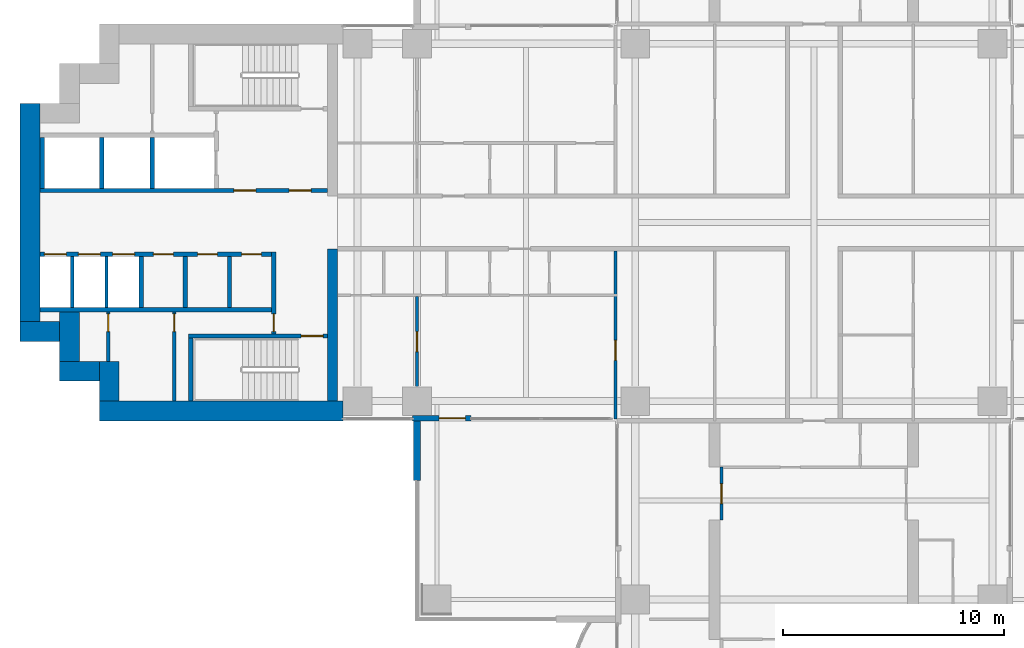
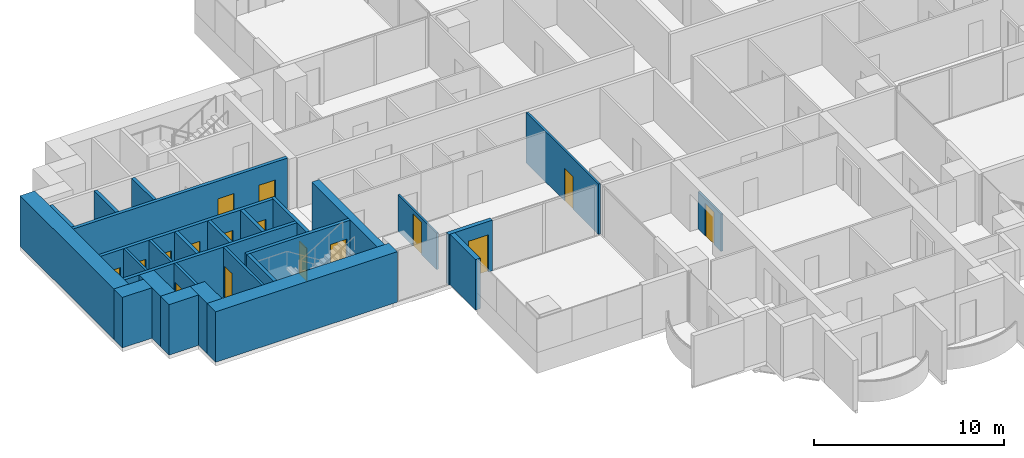
# One storey, part 10 of 20: 28 walls, 16 doors, 16 openings.
"""IFC4 building model written with IfcOpenShell, lengths in metres."""

from ifc_helpers import new_model, si_unit, direction, frame, frame_2d, origin, place, context, subcontext, project, spatial, rectangle, extrude, material, layer, layer_set, type_object, element, fill, save


model = new_model("IFC4")

# Units and contexts
model_context = context("Model", 3, precision=1e-05, world=origin(), true_north=direction((0.0, 1.0)))
body_context = subcontext(model_context, "Body", "Model", "MODEL_VIEW")
ifc_project = project(units=[si_unit("LENGTHUNIT", "METRE"), si_unit("AREAUNIT", "SQUARE_METRE"), si_unit("VOLUMEUNIT", "CUBIC_METRE"), si_unit("PLANEANGLEUNIT", "RADIAN"), si_unit("MASSUNIT", "GRAM", prefix="KILO")], contexts=[model_context])

# Site, building, storey
site_placement = place(None, origin())
site = spatial("IfcSite", under=ifc_project, at=site_placement, CompositionType="ELEMENT")
building_placement = place(site_placement, origin())
building = spatial("IfcBuilding", under=site, at=building_placement, Name="Perihelion Cross Residences", CompositionType="ELEMENT")
storey_placement = place(building_placement, frame((0.0, 0.0, 78.5)))
storey = spatial("IfcBuildingStorey", under=building, at=storey_placement, Name="L17", CompositionType="ELEMENT", Elevation=78.5)

# Wall, opening, door
ifc_material_1 = material(Name="Concrete C30/37, bronze-clad", Category="concrete")
ifc_layer_1 = layer(ifc_material_1, 0.25)
ifc_layer_set_1 = layer_set([ifc_layer_1], Name="Bronze-clad pier wall 250")
wall_type_1 = type_object("IfcWallType", Name="Bronze-clad pier wall 250", PredefinedType="SOLIDWALL", material=ifc_layer_set_1)
wall_1_placement = place(storey_placement, frame((-18.199951171875, -8.875, 0.0), z_axis=(0.0, 0.0, 1.0), x_axis=(1.0, 0.0, 0.0)))
wall_1 = element("IfcWall", 1, at=wall_1_placement, inside=storey, type_object=wall_type_1, Name="Wall FW1 L17 west side south bay 2 pier", PredefinedType="SOLIDWALL", context=body_context, shape_type="SweptSolid", body=[
    extrude(rectangle(XDim=2.64990234375, YDim=0.25, at=frame_2d((1.324951171875, 0.0))), origin(), (0.0, 0.0, 1.0), 3.25),
])
opening_1_placement = place(wall_1_placement, frame((1.199951171875, 0.0, 0.0)))
opening_1 = element("IfcOpeningElement", 2, at=opening_1_placement, cuts=wall_1, Name="Opening L17.E09", PredefinedType="OPENING", context=body_context, shape_type="SweptSolid", body=[
    extrude(rectangle(XDim=1.199951171875, YDim=2.39990234375, at=frame_2d((0.60009765625, 1.199951171875))), frame((0.0, 0.135009765625, 0.0), z_axis=(0.0, -1.0, 0.0), x_axis=(1.0, 0.0, 0.0)), (0.0, 0.0, 1.0), 0.27001953125),
])
ifc_material_2 = material(Name="Bronze anodised aluminium, glazed", Category="aluminium")
door_type_1 = type_object("IfcDoorType", Name="Balcony door 1200 x 2400", OperationType="NOTDEFINED", PredefinedType="DOOR", material=ifc_material_2)
door_1_placement = place(opening_1_placement, origin())
door_1 = element("IfcDoor", 3, at=door_1_placement, inside=storey, type_object=door_type_1, Name="Door L17.E09 west side south bay 2", OperationType="SINGLE_SWING_RIGHT", OverallHeight=2.39990234375, OverallWidth=1.199951171875, PredefinedType="DOOR", context=body_context, shape_type="SweptSolid", body=[
    extrude(rectangle(XDim=1.199951171875, YDim=2.39990234375, at=frame_2d((0.60009765625, 1.199951171875))), frame((0.0, 0.02490234375, 0.0), z_axis=(0.0, -1.0, 0.0), x_axis=(1.0, 0.0, 0.0)), (0.0, 0.0, 1.0), 0.050048828125),
])
fill(opening_1, door_1)

# Walls
ifc_material_3 = material(Name="Concrete C60/75", Category="concrete")
ifc_layer_2 = layer(ifc_material_3, 0.449951171875)
ifc_layer_set_2 = layer_set([ifc_layer_2], Name="Core wall, inner 450")
wall_type_2 = type_object("IfcWallType", Name="Core wall, inner 450", PredefinedType="SHEAR", material=ifc_layer_set_2)
wall_2_placement = place(storey_placement, frame((-21.824951171875, -8.10009765625, 0.0), z_axis=(0.0, 0.0, 1.0), x_axis=(0.0, 1.0, 0.0)))
element("IfcWall", 4, at=wall_2_placement, inside=storey, type_object=wall_type_2, Name="West core core wall, inner", PredefinedType="SHEAR", context=body_context, shape_type="SweptSolid", body=[
    extrude(rectangle(XDim=6.900146484375, YDim=0.449951171875, at=frame_2d((3.4501953125, 0.0))), origin(), (0.0, 0.0, 1.0), 3.25),
])
ifc_material_4 = material(Name="Concrete C60/75", Category="concrete")
ifc_layer_3 = layer(ifc_material_4, 0.89990234375)
ifc_layer_set_3 = layer_set([ifc_layer_3], Name="Core wall, outer 900")
wall_type_3 = type_object("IfcWallType", Name="Core wall, outer 900", PredefinedType="SHEAR", material=ifc_layer_set_3)
wall_3_placement = place(storey_placement, frame((-32.39990234375, -8.550048828125, 0.0), z_axis=(0.0, 0.0, 1.0), x_axis=(1.0, 0.0, 0.0)))
element("IfcWall", 5, at=wall_3_placement, inside=storey, type_object=wall_type_3, Name="West core core wall, outer", PredefinedType="SHEAR", context=body_context, shape_type="SweptSolid", body=[
    extrude(rectangle(XDim=11.0498046875, YDim=0.89990234375, at=frame_2d((5.52490234375, 0.0))), origin(), (0.0, 0.0, 1.0), 3.25),
])
for number, where, z_axis, x_axis, name in (
    (6, (-31.949951171875, -8.10009765625, 0.0), (0.0, 0.0, 1.0), (0.0, 1.0, 0.0), "West core core wall, outer"),
    (7, (-34.199951171875, -6.75, 0.0), (0.0, 0.0, 1.0), (1.0, 0.0, 0.0), "West core core wall, outer"),
):
    element("IfcWall", number, at=place(storey_placement, frame(where, z_axis=z_axis, x_axis=x_axis)), inside=storey, type_object=wall_type_3, Name=name, PredefinedType="SHEAR", context=body_context, shape_type="SweptSolid", body=[
        extrude(rectangle(XDim=1.800048828125, YDim=0.89990234375, at=frame_2d((0.89990234375, 0.0))), origin(), (0.0, 0.0, 1.0), 3.25),
    ])
wall_4_placement = place(storey_placement, frame((-33.75, -6.300048828125, 0.0), z_axis=(0.0, 0.0, 1.0), x_axis=(0.0, 1.0, 0.0)))
element("IfcWall", 8, at=wall_4_placement, inside=storey, type_object=wall_type_3, Name="West core core wall, outer", PredefinedType="SHEAR", context=body_context, shape_type="SweptSolid", body=[
    extrude(rectangle(XDim=2.25, YDim=0.89990234375, at=frame_2d((1.125, 0.0))), origin(), (0.0, 0.0, 1.0), 3.25),
])
wall_5_placement = place(storey_placement, frame((-36.0, -4.949951171875, 0.0), z_axis=(0.0, 0.0, 1.0), x_axis=(1.0, 0.0, 0.0)))
element("IfcWall", 9, at=wall_5_placement, inside=storey, type_object=wall_type_3, Name="West core core wall, outer", PredefinedType="SHEAR", context=body_context, shape_type="SweptSolid", body=[
    extrude(rectangle(XDim=1.800048828125, YDim=0.89990234375, at=frame_2d((0.89990234375, 0.0))), origin(), (0.0, 0.0, 1.0), 3.25),
])
wall_6_placement = place(storey_placement, frame((-35.550048828125, -4.5, 0.0), z_axis=(0.0, 0.0, 1.0), x_axis=(0.0, 1.0, 0.0)))
element("IfcWall", 10, at=wall_6_placement, inside=storey, type_object=wall_type_3, Name="West core core wall, outer", PredefinedType="SHEAR", context=body_context, shape_type="SweptSolid", body=[
    extrude(rectangle(XDim=9.89990234375, YDim=0.89990234375, at=frame_2d((4.949951171875, 0.0))), origin(), (0.0, 0.0, 1.0), 3.25),
])

# Wall, opening, door
ifc_material_5 = material(Name="Plasterboard partition")
ifc_layer_4 = layer(ifc_material_5, 0.1201171875)
ifc_layer_set_4 = layer_set([ifc_layer_4], Name="Infill panel 120")
wall_type_4 = type_object("IfcWallType", Name="Infill panel 120", PredefinedType="PARTITIONING", material=ifc_layer_set_4)
wall_7_placement = place(storey_placement, frame((-4.18994140625, -11.10009765625, 0.0), z_axis=(0.0, 0.0, 1.0), x_axis=(0.0, -1.0, 0.0)))
wall_7 = element("IfcWall", 11, at=wall_7_placement, inside=storey, type_object=wall_type_4, Name="Partition L17 WI07", PredefinedType="PARTITIONING", context=body_context, shape_type="SweptSolid", body=[
    extrude(rectangle(XDim=2.39990234375, YDim=0.1201171875, at=frame_2d((1.199951171875, 0.0))), origin(), (0.0, 0.0, 1.0), 2.39990234375),
])
opening_2_placement = place(wall_7_placement, frame((0.75, 0.0, 0.0)))
opening_2 = element("IfcOpeningElement", 12, at=opening_2_placement, cuts=wall_7, Name="Opening L17.A55", PredefinedType="OPENING", context=body_context, shape_type="SweptSolid", body=[
    extrude(rectangle(XDim=0.89990234375, YDim=2.10009765625, at=frame_2d((0.449951171875, 1.050048828125))), frame((0.0, 0.070068359375, 0.0), z_axis=(0.0, -1.0, 0.0), x_axis=(1.0, 0.0, 0.0)), (0.0, 0.0, 1.0), 0.14013671875),
])
ifc_material_6 = material(Name="Timber door leaf", Category="wood")
door_type_2 = type_object("IfcDoorType", Name="Interior room door 900 x 2100", OperationType="SINGLE_SWING_LEFT", PredefinedType="DOOR", material=ifc_material_6)
door_2_placement = place(opening_2_placement, origin())
door_2 = element("IfcDoor", 13, at=door_2_placement, inside=storey, type_object=door_type_2, Name="Door L17.A55", OperationType="SINGLE_SWING_LEFT", OverallHeight=2.10009765625, OverallWidth=0.89990234375, PredefinedType="DOOR", context=body_context, shape_type="SweptSolid", body=[
    extrude(rectangle(XDim=0.89990234375, YDim=2.10009765625, at=frame_2d((0.449951171875, 1.050048828125))), frame((0.0, 0.02490234375, 0.0), z_axis=(0.0, -1.0, 0.0), x_axis=(1.0, 0.0, 0.0)), (0.0, 0.0, 1.0), 0.050048828125),
])
fill(opening_2, door_2)

ifc_material_7 = material(Name="Concrete C50/60", Category="concrete")
ifc_layer_5 = layer(ifc_material_7, 0.199951171875)
ifc_layer_set_5 = layer_set([ifc_layer_5], Name="Lobby wall 200")
wall_type_5 = type_object("IfcWallType", Name="Lobby wall 200", PredefinedType="SOLIDWALL", material=ifc_layer_set_5)
wall_8_placement = place(storey_placement, frame((-24.5, -5.050048828125, 0.0), z_axis=(0.0, 0.0, 1.0), x_axis=(0.0, 1.0, 0.0)))
wall_8 = element("IfcWall", 14, at=wall_8_placement, inside=storey, type_object=wall_type_5, Name="West core lobby wall", PredefinedType="SOLIDWALL", context=body_context, shape_type="SweptSolid", body=[
    extrude(rectangle(XDim=3.699951171875, YDim=0.199951171875, at=frame_2d((1.85009765625, 0.0))), origin(), (0.0, 0.0, 1.0), 3.25),
])
opening_3_placement = place(wall_8_placement, frame((0.10009765625, 0.0, 0.0)))
opening_3 = element("IfcOpeningElement", 15, at=opening_3_placement, cuts=wall_8, Name="Opening L17.C24", PredefinedType="OPENING", context=body_context, shape_type="SweptSolid", body=[
    extrude(rectangle(XDim=0.800048828125, YDim=2.10009765625, at=frame_2d((0.39990234375, 1.050048828125))), frame((0.0, 0.10986328125, 0.0), z_axis=(0.0, -1.0, 0.0), x_axis=(1.0, 0.0, 0.0)), (0.0, 0.0, 1.0), 0.219970703125),
])
ifc_material_8 = material(Name="Steel, powder coated", Category="steel")
door_type_3 = type_object("IfcDoorType", Name="Riser door 800", OperationType="SINGLE_SWING_LEFT", PredefinedType="DOOR", material=ifc_material_8)
door_3_placement = place(opening_3_placement, origin())
door_3 = element("IfcDoor", 16, at=door_3_placement, inside=storey, type_object=door_type_3, Name="West core riser door", OperationType="SINGLE_SWING_LEFT", OverallHeight=2.10009765625, OverallWidth=0.800048828125, PredefinedType="DOOR", context=body_context, shape_type="SweptSolid", body=[
    extrude(rectangle(XDim=0.800048828125, YDim=2.10009765625, at=frame_2d((0.39990234375, 1.050048828125))), frame((0.0, 0.02490234375, 0.0), z_axis=(0.0, -1.0, 0.0), x_axis=(1.0, 0.0, 0.0)), (0.0, 0.0, 1.0), 0.050048828125),
])
fill(opening_3, door_3)

ifc_material_9 = material(Name="Plasterboard partition")
ifc_layer_6 = layer(ifc_material_9, 0.1201171875)
ifc_layer_set_6 = layer_set([ifc_layer_6], Name="Partition wall 120")
wall_type_6 = type_object("IfcWallType", Name="Partition wall 120", PredefinedType="PARTITIONING", material=ifc_layer_set_6)
wall_9_placement = place(storey_placement, frame((-9.0, -1.300048828125, 0.0), z_axis=(0.0, 0.0, 1.0), x_axis=(0.0, -1.0, 0.0)))
wall_9 = element("IfcWall", 17, at=wall_9_placement, inside=storey, type_object=wall_type_6, Name="Partition L17 W040", PredefinedType="PARTITIONING", context=body_context, shape_type="SweptSolid", body=[
    extrude(rectangle(XDim=7.619873046875, YDim=0.1201171875, at=frame_2d((3.81005859375, 0.0))), origin(), (0.0, 0.0, 1.0), 3.25),
])
opening_4_placement = place(wall_9_placement, frame((4.050048828125, 0.0, 0.0)))
opening_4 = element("IfcOpeningElement", 18, at=opening_4_placement, cuts=wall_9, Name="Opening L17.A30", PredefinedType="OPENING", context=body_context, shape_type="SweptSolid", body=[
    extrude(rectangle(XDim=0.89990234375, YDim=2.10009765625, at=frame_2d((0.449951171875, 1.050048828125))), frame((0.0, 0.070068359375, 0.0), z_axis=(0.0, -1.0, 0.0), x_axis=(1.0, 0.0, 0.0)), (0.0, 0.0, 1.0), 0.14013671875),
])
door_4_placement = place(opening_4_placement, origin())
door_4 = element("IfcDoor", 19, at=door_4_placement, inside=storey, type_object=door_type_2, Name="Door L17.A30", OperationType="SINGLE_SWING_RIGHT", OverallHeight=2.10009765625, OverallWidth=0.89990234375, PredefinedType="DOOR", context=body_context, shape_type="SweptSolid", body=[
    extrude(rectangle(XDim=0.89990234375, YDim=2.10009765625, at=frame_2d((0.449951171875, 1.050048828125))), frame((0.0, 0.02490234375, 0.0), z_axis=(0.0, -1.0, 0.0), x_axis=(1.0, 0.0, 0.0)), (0.0, 0.0, 1.0), 0.050048828125),
])
fill(opening_4, door_4)

wall_10_placement = place(storey_placement, frame((-18.0, -7.449951171875, 0.0), z_axis=(0.0, 0.0, 1.0), x_axis=(0.0, 1.0, 0.0)))
wall_10 = element("IfcWall", 20, at=wall_10_placement, inside=storey, type_object=wall_type_6, Name="Partition L17 W046", PredefinedType="PARTITIONING", context=body_context, shape_type="SweptSolid", body=[
    extrude(rectangle(XDim=4.08984375, YDim=0.1201171875, at=frame_2d((2.044921875, 0.0))), origin(), (0.0, 0.0, 1.0), 2.345947265625),
])
opening_5_placement = place(wall_10_placement, frame((1.594970703125, 0.0, 0.0)))
opening_5 = element("IfcOpeningElement", 21, at=opening_5_placement, cuts=wall_10, Name="Opening L17.A27", PredefinedType="OPENING", context=body_context, shape_type="SweptSolid", body=[
    extrude(rectangle(XDim=0.89990234375, YDim=2.10009765625, at=frame_2d((0.449951171875, 1.050048828125))), frame((0.0, 0.070068359375, 0.0), z_axis=(0.0, -1.0, 0.0), x_axis=(1.0, 0.0, 0.0)), (0.0, 0.0, 1.0), 0.14013671875),
])
door_5_placement = place(opening_5_placement, origin())
door_5 = element("IfcDoor", 22, at=door_5_placement, inside=storey, type_object=door_type_2, Name="Door L17.A27", OperationType="SINGLE_SWING_LEFT", OverallHeight=2.10009765625, OverallWidth=0.89990234375, PredefinedType="DOOR", context=body_context, shape_type="SweptSolid", body=[
    extrude(rectangle(XDim=0.89990234375, YDim=2.10009765625, at=frame_2d((0.449951171875, 1.050048828125))), frame((0.0, 0.02490234375, 0.0), z_axis=(0.0, -1.0, 0.0), x_axis=(1.0, 0.0, 0.0)), (0.0, 0.0, 1.0), 0.050048828125),
])
fill(opening_5, door_5)

# Wall
ifc_material_10 = material(Name="Precast concrete C50/60", Category="concrete")
ifc_layer_7 = layer(ifc_material_10, 0.300048828125)
ifc_layer_set_7 = layer_set([ifc_layer_7], Name="Precast concrete C50/60 blade wall 300")
wall_type_7 = type_object("IfcWallType", Name="Precast concrete C50/60 blade wall 300", PredefinedType="SOLIDWALL", material=ifc_layer_set_7)
wall_11_placement = place(storey_placement, frame((-18.0, -8.75, 0.0), z_axis=(0.0, 0.0, 1.0), x_axis=(0.0, -1.0, 0.0)))
element("IfcWall", 23, at=wall_11_placement, inside=storey, type_object=wall_type_7, Name="Wall BL1 L17 no. 1", PredefinedType="SOLIDWALL", context=body_context, shape_type="SweptSolid", body=[
    extrude(rectangle(XDim=2.949951171875, YDim=0.300048828125, at=frame_2d((1.47509765625, 0.0))), origin(), (0.0, 0.0, 1.0), 3.25),
])

# Wall, opening, door
ifc_material_11 = material(Name="Fire-rated board on steel stud", Category="steel")
ifc_layer_8 = layer(ifc_material_11, 0.14990234375)
ifc_layer_set_8 = layer_set([ifc_layer_8], Name="Riser wall 150")
wall_type_8 = type_object("IfcWallType", Name="Riser wall 150", PredefinedType="PARTITIONING", material=ifc_layer_set_8)
wall_12_placement = place(storey_placement, frame((-29.0, -8.10009765625, 0.0), z_axis=(0.0, 0.0, 1.0), x_axis=(0.0, 1.0, 0.0)))
wall_12 = element("IfcWall", 24, at=wall_12_placement, inside=storey, type_object=wall_type_8, Name="West core riser wall", PredefinedType="PARTITIONING", context=body_context, shape_type="SweptSolid", body=[
    extrude(rectangle(XDim=4.050048828125, YDim=0.14990234375, at=frame_2d((2.02490234375, 0.0))), origin(), (0.0, 0.0, 1.0), 3.25),
])
opening_6_placement = place(wall_12_placement, frame((3.14990234375, 0.0, 0.0)))
opening_6 = element("IfcOpeningElement", 25, at=opening_6_placement, cuts=wall_12, Name="Opening L17.C29", PredefinedType="OPENING", context=body_context, shape_type="SweptSolid", body=[
    extrude(rectangle(XDim=0.800048828125, YDim=2.10009765625, at=frame_2d((0.39990234375, 1.050048828125))), frame((0.0, 0.0849609375, 0.0), z_axis=(0.0, -1.0, 0.0), x_axis=(1.0, 0.0, 0.0)), (0.0, 0.0, 1.0), 0.169921875),
])
door_6_placement = place(opening_6_placement, origin())
door_6 = element("IfcDoor", 26, at=door_6_placement, inside=storey, type_object=door_type_3, Name="West core riser door", OperationType="SINGLE_SWING_LEFT", OverallHeight=2.10009765625, OverallWidth=0.800048828125, PredefinedType="DOOR", context=body_context, shape_type="SweptSolid", body=[
    extrude(rectangle(XDim=0.800048828125, YDim=2.10009765625, at=frame_2d((0.39990234375, 1.050048828125))), frame((0.0, 0.02490234375, 0.0), z_axis=(0.0, -1.0, 0.0), x_axis=(1.0, 0.0, 0.0)), (0.0, 0.0, 1.0), 0.050048828125),
])
fill(opening_6, door_6)

wall_13_placement = place(storey_placement, frame((-32.0, -6.300048828125, 0.0), z_axis=(0.0, 0.0, 1.0), x_axis=(0.0, 1.0, 0.0)))
wall_13 = element("IfcWall", 27, at=wall_13_placement, inside=storey, type_object=wall_type_8, Name="West core riser wall", PredefinedType="PARTITIONING", context=body_context, shape_type="SweptSolid", body=[
    extrude(rectangle(XDim=2.25, YDim=0.14990234375, at=frame_2d((1.125, 0.0))), origin(), (0.0, 0.0, 1.0), 3.25),
])
opening_7_placement = place(wall_13_placement, frame((1.35009765625, 0.0, 0.0)))
opening_7 = element("IfcOpeningElement", 28, at=opening_7_placement, cuts=wall_13, Name="Opening L17.C32", PredefinedType="OPENING", context=body_context, shape_type="SweptSolid", body=[
    extrude(rectangle(XDim=0.800048828125, YDim=2.10009765625, at=frame_2d((0.39990234375, 1.050048828125))), frame((0.0, 0.0849609375, 0.0), z_axis=(0.0, -1.0, 0.0), x_axis=(1.0, 0.0, 0.0)), (0.0, 0.0, 1.0), 0.169921875),
])
door_7_placement = place(opening_7_placement, origin())
door_7 = element("IfcDoor", 29, at=door_7_placement, inside=storey, type_object=door_type_3, Name="West core riser door", OperationType="SINGLE_SWING_LEFT", OverallHeight=2.10009765625, OverallWidth=0.800048828125, PredefinedType="DOOR", context=body_context, shape_type="SweptSolid", body=[
    extrude(rectangle(XDim=0.800048828125, YDim=2.10009765625, at=frame_2d((0.39990234375, 1.050048828125))), frame((0.0, 0.02490234375, 0.0), z_axis=(0.0, -1.0, 0.0), x_axis=(1.0, 0.0, 0.0)), (0.0, 0.0, 1.0), 0.050048828125),
])
fill(opening_7, door_7)

# Walls
ifc_material_12 = material(Name="Fire-rated board on steel stud", Category="steel")
ifc_layer_9 = layer(ifc_material_12, 0.199951171875)
ifc_layer_set_9 = layer_set([ifc_layer_9], Name="Riser wall 200")
wall_type_9 = type_object("IfcWallType", Name="Riser wall 200", PredefinedType="PARTITIONING", material=ifc_layer_set_9)
for number, where, z_axis, x_axis, name in (
    (30, (-26.5, -3.85009765625, 0.0), (0.0, 0.0, 1.0), (0.0, 1.0, 0.0), "West core riser wall"),
    (31, (-28.5, -3.85009765625, 0.0), (0.0, 0.0, 1.0), (0.0, 1.0, 0.0), "West core riser wall"),
):
    element("IfcWall", number, at=place(storey_placement, frame(where, z_axis=z_axis, x_axis=x_axis)), inside=storey, type_object=wall_type_9, Name=name, PredefinedType="PARTITIONING", context=body_context, shape_type="SweptSolid", body=[
        extrude(rectangle(XDim=2.300048828125, YDim=0.199951171875, at=frame_2d((1.14990234375, 0.0))), origin(), (0.0, 0.0, 1.0), 3.25),
    ])
ifc_material_13 = material(Name="Concrete C50/60", Category="concrete")
ifc_layer_10 = layer(ifc_material_13, 0.14990234375)
ifc_layer_set_10 = layer_set([ifc_layer_10], Name="Shaft wall 150")
wall_type_10 = type_object("IfcWallType", Name="Shaft wall 150", PredefinedType="SOLIDWALL", material=ifc_layer_set_10)
for number, where, z_axis, x_axis, name in (
    (32, (-32.074951171875, -3.85009765625, 0.0), (0.0, 0.0, 1.0), (0.0, 1.0, 0.0), "West core shaft wall"),
    (33, (-33.625, -3.85009765625, 0.0), (0.0, 0.0, 1.0), (0.0, 1.0, 0.0), "West core shaft wall"),
):
    element("IfcWall", number, at=place(storey_placement, frame(where, z_axis=z_axis, x_axis=x_axis)), inside=storey, type_object=wall_type_10, Name=name, PredefinedType="SOLIDWALL", context=body_context, shape_type="SweptSolid", body=[
        extrude(rectangle(XDim=2.300048828125, YDim=0.14990234375, at=frame_2d((1.14990234375, 0.0))), origin(), (0.0, 0.0, 1.0), 3.25),
    ])

# Wall, openings, doors
ifc_material_14 = material(Name="Concrete C50/60", Category="concrete")
ifc_layer_11 = layer(ifc_material_14, 0.199951171875)
ifc_layer_set_11 = layer_set([ifc_layer_11], Name="Shaft wall 200")
wall_type_11 = type_object("IfcWallType", Name="Shaft wall 200", PredefinedType="SOLIDWALL", material=ifc_layer_set_11)
wall_14_placement = place(storey_placement, frame((-35.10009765625, 1.449951171875, 0.0), z_axis=(0.0, 0.0, 1.0), x_axis=(1.0, 0.0, 0.0)))
wall_14 = element("IfcWall", 34, at=wall_14_placement, inside=storey, type_object=wall_type_11, Name="West core shaft wall", PredefinedType="SOLIDWALL", context=body_context, shape_type="SweptSolid", body=[
    extrude(rectangle(XDim=13.050048828125, YDim=0.199951171875, at=frame_2d((6.52490234375, 0.0))), origin(), (0.0, 0.0, 1.0), 3.25),
])
opening_8_placement = place(wall_14_placement, frame((11.300048828125, 0.0, 0.0)))
opening_8 = element("IfcOpeningElement", 35, at=opening_8_placement, cuts=wall_14, Name="Opening L17.C23", PredefinedType="OPENING", context=body_context, shape_type="SweptSolid", body=[
    extrude(rectangle(XDim=1.0, YDim=2.10009765625, at=frame_2d((0.5, 1.050048828125))), frame((0.0, 0.10986328125, 0.0), z_axis=(0.0, -1.0, 0.0), x_axis=(1.0, 0.0, 0.0)), (0.0, 0.0, 1.0), 0.219970703125),
])
opening_9_placement = place(wall_14_placement, frame((8.800048828125, 0.0, 0.0)))
opening_9 = element("IfcOpeningElement", 36, at=opening_9_placement, cuts=wall_14, Name="Opening L17.C26", PredefinedType="OPENING", context=body_context, shape_type="SweptSolid", body=[
    extrude(rectangle(XDim=1.0, YDim=2.10009765625, at=frame_2d((0.5, 1.050048828125))), frame((0.0, 0.10986328125, 0.0), z_axis=(0.0, -1.0, 0.0), x_axis=(1.0, 0.0, 0.0)), (0.0, 0.0, 1.0), 0.219970703125),
])
ifc_material_15 = material(Name="Steel, powder coated", Category="steel")
door_type_4 = type_object("IfcDoorType", Name="Lobby door 1000", OperationType="SINGLE_SWING_LEFT", PredefinedType="DOOR", material=ifc_material_15)
door_8_placement = place(opening_8_placement, origin())
door_8 = element("IfcDoor", 37, at=door_8_placement, inside=storey, type_object=door_type_4, Name="West core firefighting lobby door", OperationType="SINGLE_SWING_LEFT", OverallHeight=2.10009765625, OverallWidth=1.0, PredefinedType="DOOR", context=body_context, shape_type="SweptSolid", body=[
    extrude(rectangle(XDim=1.0, YDim=2.10009765625, at=frame_2d((0.5, 1.050048828125))), frame((0.0, 0.02490234375, 0.0), z_axis=(0.0, -1.0, 0.0), x_axis=(1.0, 0.0, 0.0)), (0.0, 0.0, 1.0), 0.050048828125),
])
fill(opening_8, door_8)
door_9_placement = place(opening_9_placement, origin())
door_9 = element("IfcDoor", 38, at=door_9_placement, inside=storey, type_object=door_type_4, Name="West core firefighting lobby door", OperationType="SINGLE_SWING_LEFT", OverallHeight=2.10009765625, OverallWidth=1.0, PredefinedType="DOOR", context=body_context, shape_type="SweptSolid", body=[
    extrude(rectangle(XDim=1.0, YDim=2.10009765625, at=frame_2d((0.5, 1.050048828125))), frame((0.0, 0.02490234375, 0.0), z_axis=(0.0, -1.0, 0.0), x_axis=(1.0, 0.0, 0.0)), (0.0, 0.0, 1.0), 0.050048828125),
])
fill(opening_9, door_9)

wall_15_placement = place(storey_placement, frame((-35.10009765625, -1.449951171875, 0.0), z_axis=(0.0, 0.0, 1.0), x_axis=(1.0, 0.0, 0.0)))
wall_15 = element("IfcWall", 39, at=wall_15_placement, inside=storey, type_object=wall_type_11, Name="West core shaft wall", PredefinedType="SOLIDWALL", context=body_context, shape_type="SweptSolid", body=[
    extrude(rectangle(XDim=10.5, YDim=0.199951171875, at=frame_2d((5.25, 0.0))), origin(), (0.0, 0.0, 1.0), 3.25),
])
opening_10_placement = place(wall_15_placement, frame((3.300048828125, 0.0, 0.0)))
opening_10 = element("IfcOpeningElement", 40, at=opening_10_placement, cuts=wall_15, Name="Opening L17.C18", PredefinedType="OPENING", context=body_context, shape_type="SweptSolid", body=[
    extrude(rectangle(XDim=1.0, YDim=2.10009765625, at=frame_2d((0.5, 1.050048828125))), frame((0.0, 0.10986328125, 0.0), z_axis=(0.0, -1.0, 0.0), x_axis=(1.0, 0.0, 0.0)), (0.0, 0.0, 1.0), 0.219970703125),
])
opening_11_placement = place(wall_15_placement, frame((1.75, 0.0, 0.0)))
opening_11 = element("IfcOpeningElement", 41, at=opening_11_placement, cuts=wall_15, Name="Opening L17.C19", PredefinedType="OPENING", context=body_context, shape_type="SweptSolid", body=[
    extrude(rectangle(XDim=1.0, YDim=2.10009765625, at=frame_2d((0.5, 1.050048828125))), frame((0.0, 0.10986328125, 0.0), z_axis=(0.0, -1.0, 0.0), x_axis=(1.0, 0.0, 0.0)), (0.0, 0.0, 1.0), 0.219970703125),
])
opening_12_placement = place(wall_15_placement, frame((0.199951171875, 0.0, 0.0)))
opening_12 = element("IfcOpeningElement", 42, at=opening_12_placement, cuts=wall_15, Name="Opening L17.C20", PredefinedType="OPENING", context=body_context, shape_type="SweptSolid", body=[
    extrude(rectangle(XDim=1.0, YDim=2.10009765625, at=frame_2d((0.5, 1.050048828125))), frame((0.0, 0.10986328125, 0.0), z_axis=(0.0, -1.0, 0.0), x_axis=(1.0, 0.0, 0.0)), (0.0, 0.0, 1.0), 0.219970703125),
])
opening_13_placement = place(wall_15_placement, frame((9.14990234375, 0.0, 0.0)))
opening_13 = element("IfcOpeningElement", 43, at=opening_13_placement, cuts=wall_15, Name="Opening L17.C25", PredefinedType="OPENING", context=body_context, shape_type="SweptSolid", body=[
    extrude(rectangle(XDim=0.89990234375, YDim=2.10009765625, at=frame_2d((0.449951171875, 1.050048828125))), frame((0.0, 0.10986328125, 0.0), z_axis=(0.0, -1.0, 0.0), x_axis=(1.0, 0.0, 0.0)), (0.0, 0.0, 1.0), 0.219970703125),
])
opening_14_placement = place(wall_15_placement, frame((7.14990234375, 0.0, 0.0)))
opening_14 = element("IfcOpeningElement", 44, at=opening_14_placement, cuts=wall_15, Name="Opening L17.C28", PredefinedType="OPENING", context=body_context, shape_type="SweptSolid", body=[
    extrude(rectangle(XDim=0.89990234375, YDim=2.10009765625, at=frame_2d((0.449951171875, 1.050048828125))), frame((0.0, 0.10986328125, 0.0), z_axis=(0.0, -1.0, 0.0), x_axis=(1.0, 0.0, 0.0)), (0.0, 0.0, 1.0), 0.219970703125),
])
opening_15_placement = place(wall_15_placement, frame((5.14990234375, 0.0, 0.0)))
opening_15 = element("IfcOpeningElement", 45, at=opening_15_placement, cuts=wall_15, Name="Opening L17.C30", PredefinedType="OPENING", context=body_context, shape_type="SweptSolid", body=[
    extrude(rectangle(XDim=0.89990234375, YDim=2.10009765625, at=frame_2d((0.449951171875, 1.050048828125))), frame((0.0, 0.10986328125, 0.0), z_axis=(0.0, -1.0, 0.0), x_axis=(1.0, 0.0, 0.0)), (0.0, 0.0, 1.0), 0.219970703125),
])
ifc_material_16 = material(Name="Stainless steel", Category="steel")
door_type_5 = type_object("IfcDoorType", Name="Landing door 1000", OperationType="DOUBLE_DOOR_SLIDING", PredefinedType="DOOR", material=ifc_material_16)
door_10_placement = place(opening_10_placement, origin())
door_10 = element("IfcDoor", 46, at=door_10_placement, inside=storey, type_object=door_type_5, Name="Landing door, West core low-rise lift 1", OperationType="DOUBLE_DOOR_SLIDING", OverallHeight=2.10009765625, OverallWidth=1.0, PredefinedType="DOOR", context=body_context, shape_type="SweptSolid", body=[
    extrude(rectangle(XDim=1.0, YDim=2.10009765625, at=frame_2d((0.5, 1.050048828125))), frame((0.0, 0.02490234375, 0.0), z_axis=(0.0, -1.0, 0.0), x_axis=(1.0, 0.0, 0.0)), (0.0, 0.0, 1.0), 0.050048828125),
])
fill(opening_10, door_10)
door_11_placement = place(opening_11_placement, origin())
door_11 = element("IfcDoor", 47, at=door_11_placement, inside=storey, type_object=door_type_5, Name="Landing door, West core low-rise lift 2", OperationType="DOUBLE_DOOR_SLIDING", OverallHeight=2.10009765625, OverallWidth=1.0, PredefinedType="DOOR", context=body_context, shape_type="SweptSolid", body=[
    extrude(rectangle(XDim=1.0, YDim=2.10009765625, at=frame_2d((0.5, 1.050048828125))), frame((0.0, 0.02490234375, 0.0), z_axis=(0.0, -1.0, 0.0), x_axis=(1.0, 0.0, 0.0)), (0.0, 0.0, 1.0), 0.050048828125),
])
fill(opening_11, door_11)
door_12_placement = place(opening_12_placement, origin())
door_12 = element("IfcDoor", 48, at=door_12_placement, inside=storey, type_object=door_type_5, Name="Landing door, West core low-rise lift 3", OperationType="DOUBLE_DOOR_SLIDING", OverallHeight=2.10009765625, OverallWidth=1.0, PredefinedType="DOOR", context=body_context, shape_type="SweptSolid", body=[
    extrude(rectangle(XDim=1.0, YDim=2.10009765625, at=frame_2d((0.5, 1.050048828125))), frame((0.0, 0.02490234375, 0.0), z_axis=(0.0, -1.0, 0.0), x_axis=(1.0, 0.0, 0.0)), (0.0, 0.0, 1.0), 0.050048828125),
])
fill(opening_12, door_12)
ifc_material_17 = material(Name="Steel, powder coated", Category="steel")
door_type_6 = type_object("IfcDoorType", Name="Service room door 900", OperationType="SINGLE_SWING_LEFT", PredefinedType="DOOR", material=ifc_material_17)
door_13_placement = place(opening_13_placement, origin())
door_13 = element("IfcDoor", 49, at=door_13_placement, inside=storey, type_object=door_type_6, Name="West core service room door", OperationType="SINGLE_SWING_LEFT", OverallHeight=2.10009765625, OverallWidth=0.89990234375, PredefinedType="DOOR", context=body_context, shape_type="SweptSolid", body=[
    extrude(rectangle(XDim=0.89990234375, YDim=2.10009765625, at=frame_2d((0.449951171875, 1.050048828125))), frame((0.0, 0.02490234375, 0.0), z_axis=(0.0, -1.0, 0.0), x_axis=(1.0, 0.0, 0.0)), (0.0, 0.0, 1.0), 0.050048828125),
])
fill(opening_13, door_13)
door_14_placement = place(opening_14_placement, origin())
door_14 = element("IfcDoor", 50, at=door_14_placement, inside=storey, type_object=door_type_6, Name="West core service room door", OperationType="SINGLE_SWING_LEFT", OverallHeight=2.10009765625, OverallWidth=0.89990234375, PredefinedType="DOOR", context=body_context, shape_type="SweptSolid", body=[
    extrude(rectangle(XDim=0.89990234375, YDim=2.10009765625, at=frame_2d((0.449951171875, 1.050048828125))), frame((0.0, 0.02490234375, 0.0), z_axis=(0.0, -1.0, 0.0), x_axis=(1.0, 0.0, 0.0)), (0.0, 0.0, 1.0), 0.050048828125),
])
fill(opening_14, door_14)
door_15_placement = place(opening_15_placement, origin())
door_15 = element("IfcDoor", 51, at=door_15_placement, inside=storey, type_object=door_type_6, Name="West core service room door", OperationType="SINGLE_SWING_LEFT", OverallHeight=2.10009765625, OverallWidth=0.89990234375, PredefinedType="DOOR", context=body_context, shape_type="SweptSolid", body=[
    extrude(rectangle(XDim=0.89990234375, YDim=2.10009765625, at=frame_2d((0.449951171875, 1.050048828125))), frame((0.0, 0.02490234375, 0.0), z_axis=(0.0, -1.0, 0.0), x_axis=(1.0, 0.0, 0.0)), (0.0, 0.0, 1.0), 0.050048828125),
])
fill(opening_15, door_15)

# Walls
wall_16_placement = place(storey_placement, frame((-35.10009765625, -3.949951171875, 0.0), z_axis=(0.0, 0.0, 1.0), x_axis=(1.0, 0.0, 0.0)))
element("IfcWall", 52, at=wall_16_placement, inside=storey, type_object=wall_type_11, Name="West core shaft wall", PredefinedType="SOLIDWALL", context=body_context, shape_type="SweptSolid", body=[
    extrude(rectangle(XDim=10.5, YDim=0.199951171875, at=frame_2d((5.25, 0.0))), origin(), (0.0, 0.0, 1.0), 3.25),
])
for number, where, z_axis, x_axis, name in (
    (53, (-30.0, 1.550048828125, 0.0), (0.0, 0.0, 1.0), (0.0, 1.0, 0.0), "West core shaft wall"),
    (54, (-32.300048828125, 1.550048828125, 0.0), (0.0, 0.0, 1.0), (0.0, 1.0, 0.0), "West core shaft wall"),
    (55, (-35.0, 1.550048828125, 0.0), (0.0, 0.0, 1.0), (0.0, 1.0, 0.0), "West core shaft wall"),
    (56, (-30.5, -3.85009765625, 0.0), (0.0, 0.0, 1.0), (0.0, 1.0, 0.0), "West core shaft wall"),
):
    element("IfcWall", number, at=place(storey_placement, frame(where, z_axis=z_axis, x_axis=x_axis)), inside=storey, type_object=wall_type_11, Name=name, PredefinedType="SOLIDWALL", context=body_context, shape_type="SweptSolid", body=[
        extrude(rectangle(XDim=2.300048828125, YDim=0.199951171875, at=frame_2d((1.14990234375, 0.0))), origin(), (0.0, 0.0, 1.0), 3.25),
    ])

# Wall, opening, door
ifc_material_18 = material(Name="Concrete C50/60", Category="concrete")
ifc_layer_12 = layer(ifc_material_18, 0.199951171875)
ifc_layer_set_12 = layer_set([ifc_layer_12], Name="Stair wall 200")
wall_type_12 = type_object("IfcWallType", Name="Stair wall 200", PredefinedType="SOLIDWALL", material=ifc_layer_set_12)
wall_17_placement = place(storey_placement, frame((-28.35009765625, -5.14990234375, 0.0), z_axis=(0.0, 0.0, 1.0), x_axis=(1.0, 0.0, 0.0)))
wall_17 = element("IfcWall", 57, at=wall_17_placement, inside=storey, type_object=wall_type_12, Name="West core stair wall", PredefinedType="SOLIDWALL", context=body_context, shape_type="SweptSolid", body=[
    extrude(rectangle(XDim=6.300048828125, YDim=0.199951171875, at=frame_2d((3.14990234375, 0.0))), origin(), (0.0, 0.0, 1.0), 3.25),
])
opening_16_placement = place(wall_17_placement, frame((5.10009765625, 0.0, 0.0)))
opening_16 = element("IfcOpeningElement", 58, at=opening_16_placement, cuts=wall_17, Name="Opening L17.C21", PredefinedType="OPENING", context=body_context, shape_type="SweptSolid", body=[
    extrude(rectangle(XDim=1.0, YDim=2.10009765625, at=frame_2d((0.5, 1.050048828125))), frame((0.0, 0.10986328125, 0.0), z_axis=(0.0, -1.0, 0.0), x_axis=(1.0, 0.0, 0.0)), (0.0, 0.0, 1.0), 0.219970703125),
])
ifc_material_19 = material(Name="Steel, powder coated", Category="steel")
door_type_7 = type_object("IfcDoorType", Name="Stair door 1000", OperationType="SINGLE_SWING_LEFT", PredefinedType="DOOR", material=ifc_material_19)
door_16_placement = place(opening_16_placement, origin())
door_16 = element("IfcDoor", 59, at=door_16_placement, inside=storey, type_object=door_type_7, Name="West core stair door", OperationType="SINGLE_SWING_LEFT", OverallHeight=2.10009765625, OverallWidth=1.0, PredefinedType="DOOR", context=body_context, shape_type="SweptSolid", body=[
    extrude(rectangle(XDim=1.0, YDim=2.10009765625, at=frame_2d((0.5, 1.050048828125))), frame((0.0, 0.02490234375, 0.0), z_axis=(0.0, -1.0, 0.0), x_axis=(1.0, 0.0, 0.0)), (0.0, 0.0, 1.0), 0.050048828125),
])
fill(opening_16, door_16)

# Wall
wall_18_placement = place(storey_placement, frame((-28.25, -8.10009765625, 0.0), z_axis=(0.0, 0.0, 1.0), x_axis=(0.0, 1.0, 0.0)))
element("IfcWall", 60, at=wall_18_placement, inside=storey, type_object=wall_type_12, Name="West core stair wall", PredefinedType="SOLIDWALL", context=body_context, shape_type="SweptSolid", body=[
    extrude(rectangle(XDim=2.85009765625, YDim=0.199951171875, at=frame_2d((1.425048828125, 0.0))), origin(), (0.0, 0.0, 1.0), 3.25),
])

save(model, "model.ifc")
